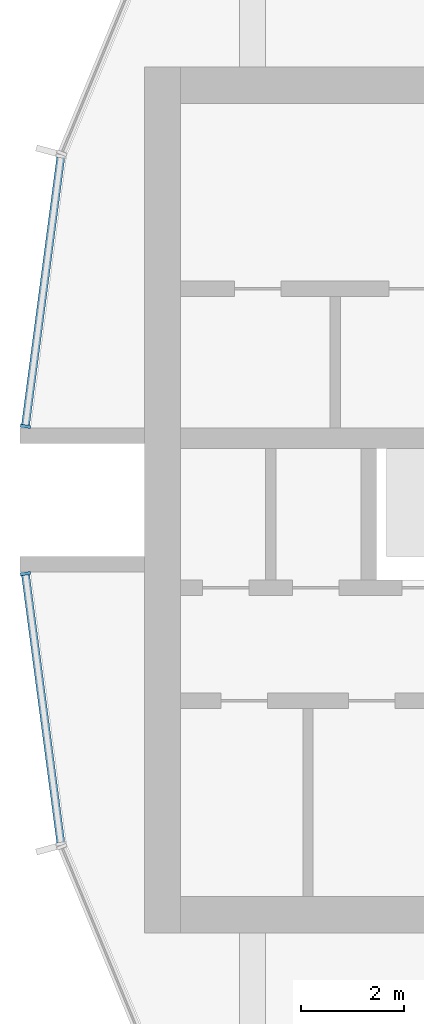
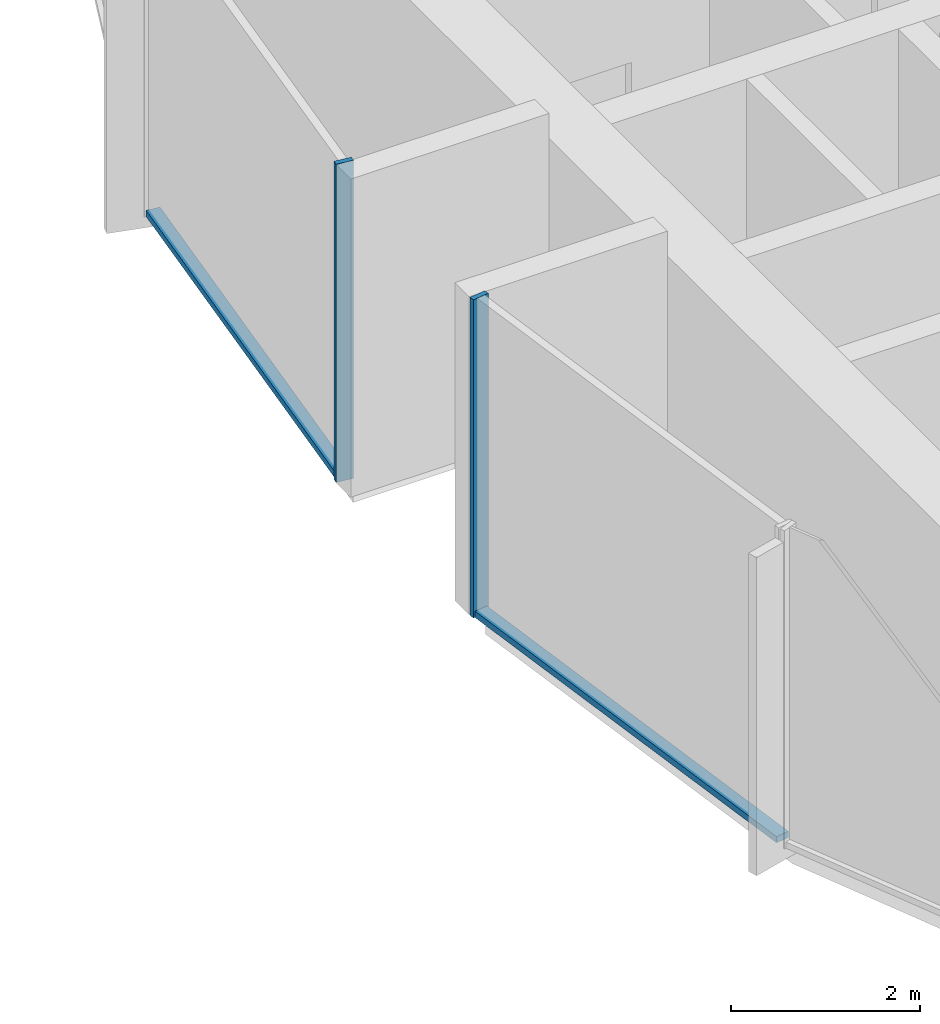
# One storey, part 3 of 15: 4 members, 2 elements without a shape of their own.
"""IFC4 building model written with IfcOpenShell, lengths in metres."""

from ifc_helpers import new_model, si_unit, direction, frame, origin, origin_2d, place, context, subcontext, project, spatial, rectangle, extrude, material, layer, layer_set, material_profile, profile_set, type_object, element, aggregate, save


model = new_model("IFC4")

# Units and contexts
model_context = context("Model", 3, precision=1e-05, world=origin(), true_north=direction((0.0, 1.0)))
body_context = subcontext(model_context, "Body", "Model", "MODEL_VIEW")
ifc_project = project(units=[si_unit("LENGTHUNIT", "METRE"), si_unit("AREAUNIT", "SQUARE_METRE"), si_unit("VOLUMEUNIT", "CUBIC_METRE"), si_unit("PLANEANGLEUNIT", "RADIAN"), si_unit("MASSUNIT", "GRAM", prefix="KILO")], contexts=[model_context])

# Site, building, storey
site_placement = place(None, origin())
site = spatial("IfcSite", under=ifc_project, at=site_placement, CompositionType="ELEMENT")
building_placement = place(site_placement, origin())
building = spatial("IfcBuilding", under=site, at=building_placement, Name="Torre Brocal", CompositionType="ELEMENT")
storey_placement = place(building_placement, frame((0.0, 0.0, 157.699951171875)))
storey = spatial("IfcBuildingStorey", under=building, at=storey_placement, Name="L36", CompositionType="ELEMENT", Elevation=157.699951171875)

# Curtain wall, member
ifc_material_1 = material(Name="Aluminium and glass", Category="aluminium")
ifc_layer = layer(ifc_material_1, 0.199951171875)
ifc_layer_set = layer_set([ifc_layer], Name="Aluminium and glass")
curtain_wall_type = type_object("IfcCurtainWallType", Name="CW-1B CURTAIN WALL 4100 HIGH", PredefinedType="NOTDEFINED", material=ifc_layer_set)
curtain_wall_1_placement = place(storey_placement, origin())
curtain_wall_1 = element("IfcCurtainWall", 1, at=curtain_wall_1_placement, inside=storey, type_object=curtain_wall_type, Name="CW-1B RUN 12", PredefinedType="NOTDEFINED")
ifc_material_2 = material(Name="Aluminium, dark anodised", Category="aluminium")
ifc_material_profile_1 = material_profile(ifc_material_2, rectangle(XDim=0.199951171875, YDim=0.06005859375, at=origin_2d()), Name="CW-1B MULLION 60X200")
ifc_profile_set_1 = profile_set([ifc_material_profile_1], Name="Aluminium, dark anodised")
member_type_1 = type_object("IfcMemberType", Name="CW-1B MULLION 60X200", PredefinedType="MULLION", material=ifc_profile_set_1)
member_1_placement = place(storey_placement, frame((54.2890625, 76.4296875, 0.0), z_axis=(0.0, 0.0, 1.0), x_axis=(0.991444861374, -0.13052619222, 0.0)))
member_1 = element("IfcMember", 2, at=member_1_placement, type_object=member_type_1, Name="CW1B-4 mullion 2", PredefinedType="MULLION", context=body_context, shape_type="SweptSolid", body=[
    extrude(rectangle(XDim=0.199951171875, YDim=0.06005859375, at=origin_2d()), origin(), (0.0, 0.0, 1.0), 4.10009765625),
])

curtain_wall_2_placement = place(storey_placement, origin())
curtain_wall_2 = element("IfcCurtainWall", 3, at=curtain_wall_2_placement, inside=storey, type_object=curtain_wall_type, Name="CW-1B RUN 13", PredefinedType="NOTDEFINED")
member_2_placement = place(storey_placement, frame((54.2890625, 73.5703125, 0.0), z_axis=(0.0, 0.0, 1.0), x_axis=(0.991444861374, 0.13052619222, 0.0)))
member_2 = element("IfcMember", 4, at=member_2_placement, type_object=member_type_1, Name="CW1B-4 mullion 1", PredefinedType="MULLION", context=body_context, shape_type="SweptSolid", body=[
    extrude(rectangle(XDim=0.199951171875, YDim=0.06005859375, at=origin_2d()), origin(), (0.0, 0.0, 1.0), 4.10009765625),
])

# Member
ifc_material_3 = material(Name="Aluminium, dark anodised", Category="aluminium")
ifc_material_profile_2 = material_profile(ifc_material_3, rectangle(XDim=0.159912109375, YDim=0.080078125, at=origin_2d()), Name="CW-1B TRANSOM 160X80")
ifc_profile_set_2 = profile_set([ifc_material_profile_2], Name="Aluminium, dark anodised")
member_type_2 = type_object("IfcMemberType", Name="CW-1B TRANSOM 160X80", PredefinedType="USERDEFINED", material=ifc_profile_set_2)
member_3_placement = place(storey_placement, frame((54.9755859375, 81.643798828125, 0.0400390625), z_axis=(-0.130542677827, -0.991442690863, 0.0), x_axis=(0.991442690863, -0.130542677827, 0.0)))
member_3 = element("IfcMember", 5, at=member_3_placement, type_object=member_type_2, Name="CW1B-4 transom 1.1", ObjectType="TRANSOM", PredefinedType="USERDEFINED", context=body_context, shape_type="SweptSolid", body=[
    extrude(rectangle(XDim=0.159912109375, YDim=0.080078125, at=origin_2d()), origin(), (0.0, 0.0, 1.0), 5.22900390625),
])

aggregate(curtain_wall_1, [member_1, member_3])

member_4_placement = place(storey_placement, frame((54.29296875, 73.54052734375, 0.0400390625), z_axis=(0.130542677827, -0.991442690863, 0.0), x_axis=(0.991442690863, 0.130542677827, 0.0)))
member_4 = element("IfcMember", 6, at=member_4_placement, type_object=member_type_2, Name="CW1B-4 transom 1.1", ObjectType="TRANSOM", PredefinedType="USERDEFINED", context=body_context, shape_type="SweptSolid", body=[
    extrude(rectangle(XDim=0.159912109375, YDim=0.080078125, at=origin_2d()), origin(), (0.0, 0.0, 1.0), 5.22900390625),
])

aggregate(curtain_wall_2, [member_2, member_4])

save(model, "model.ifc")
